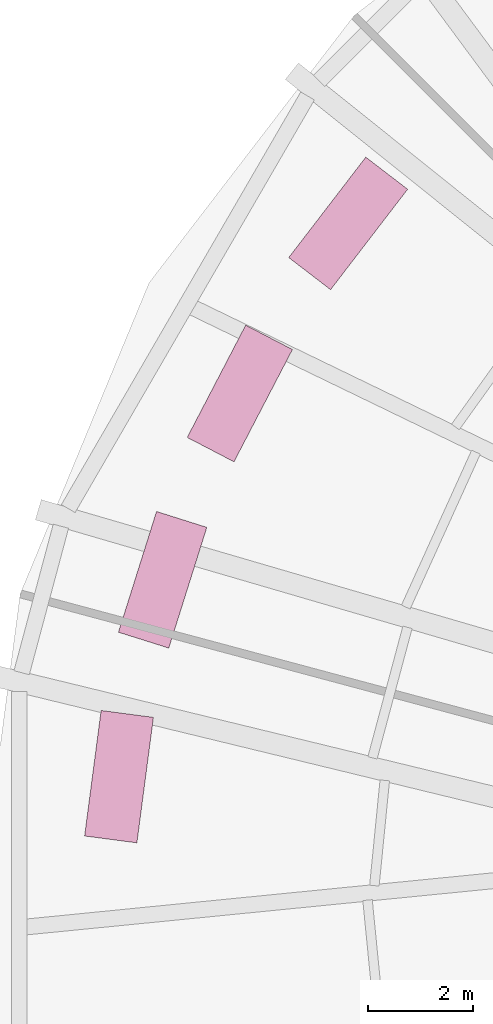
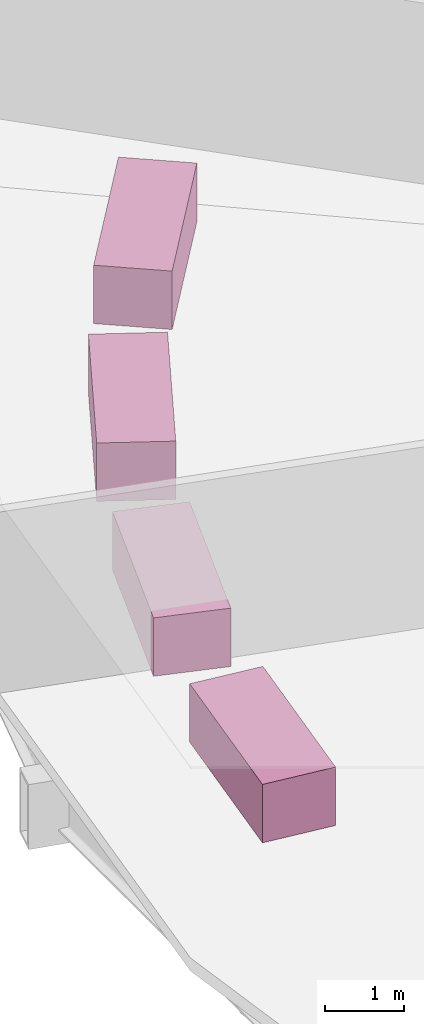
# One storey, part 7 of 7: 4 furniture elements.
"""IFC4 building model written with IfcOpenShell, lengths in metres."""

from ifc_helpers import new_model, si_unit, direction, frame, origin, origin_2d, place, context, subcontext, project, spatial, rectangle, extrude, element, save


model = new_model("IFC4")

# Units and contexts
model_context = context("Model", 3, precision=1e-05, world=origin(), true_north=direction((0.0, 1.0)))
body_context = subcontext(model_context, "Body", "Model", "MODEL_VIEW")
ifc_project = project(units=[si_unit("LENGTHUNIT", "METRE"), si_unit("AREAUNIT", "SQUARE_METRE"), si_unit("VOLUMEUNIT", "CUBIC_METRE"), si_unit("PLANEANGLEUNIT", "RADIAN"), si_unit("MASSUNIT", "GRAM", prefix="KILO")], contexts=[model_context])

# Site, building, storey
site_placement = place(None, origin())
site = spatial("IfcSite", under=ifc_project, at=site_placement, CompositionType="ELEMENT")
building_placement = place(site_placement, origin())
building = spatial("IfcBuilding", under=site, at=building_placement, Name="Golbaran Civic Tower", CompositionType="ELEMENT")
storey_placement = place(building_placement, frame((0.0, 0.0, 130.0)))
storey = spatial("IfcBuildingStorey", under=building, at=storey_placement, Name="L31", CompositionType="ELEMENT", Elevation=130.0)

# Furniture
for number, where, z_axis, x_axis, name in (
    (1, (-17.4013671875, 13.3525390625, 0.0), (0.0, 0.0, 1.0), (-0.608761429009, -0.793353340291, 0.0), "Sky garden planter L31-1"),
    (2, (-19.455810546875, 10.1279296875, 0.0), (0.0, 0.0, 1.0), (-0.461748613235, -0.887010833178, 0.0), "Sky garden planter L31-2"),
    (3, (-20.9189453125, 6.595703125, 0.0), (0.0, 0.0, 1.0), (-0.300705799504, -0.953716950748, 0.0), "Sky garden planter L31-3"),
    (4, (-21.746337890625, 2.863037109375, 0.0), (0.0, 0.0, 1.0), (-0.13052619222, -0.991444861374, 0.0), "Sky garden planter L31-4"),
):
    element("IfcFurniture", number, at=place(storey_placement, frame(where, z_axis=z_axis, x_axis=x_axis)), inside=storey, Name=name, ObjectType="PLANTER", PredefinedType="USERDEFINED", context=body_context, shape_type="SweptSolid", body=[
        extrude(rectangle(XDim=2.39990234375, YDim=1.0, at=origin_2d()), origin(), (0.0, 0.0, 1.0), 0.89990234375),
    ])

save(model, "model.ifc")
